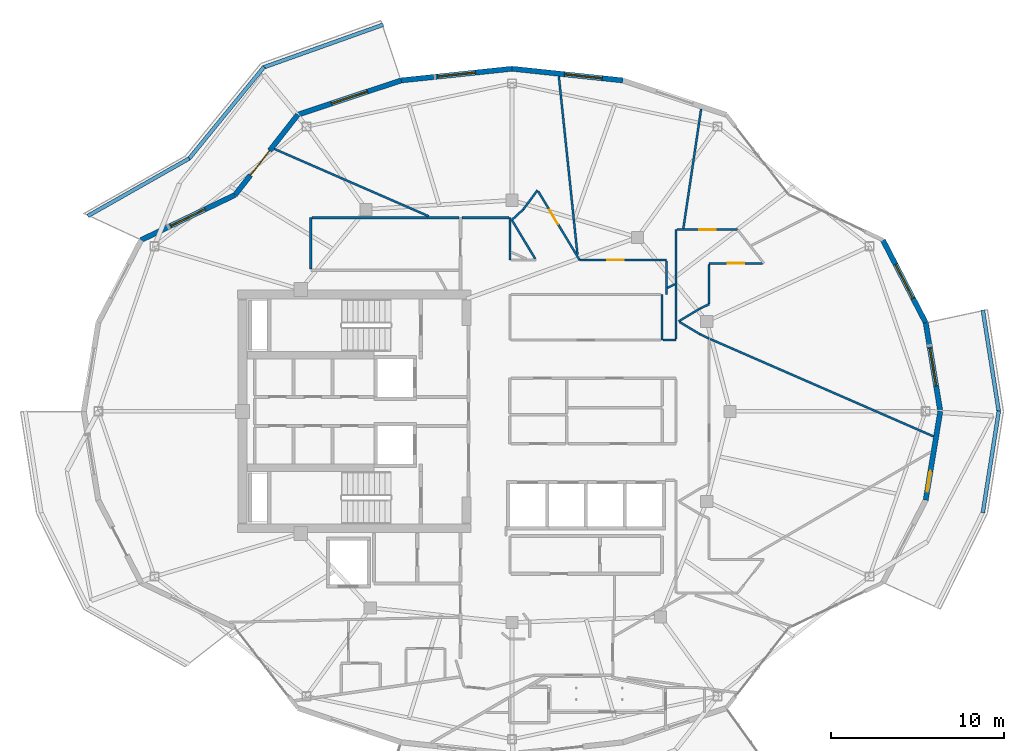
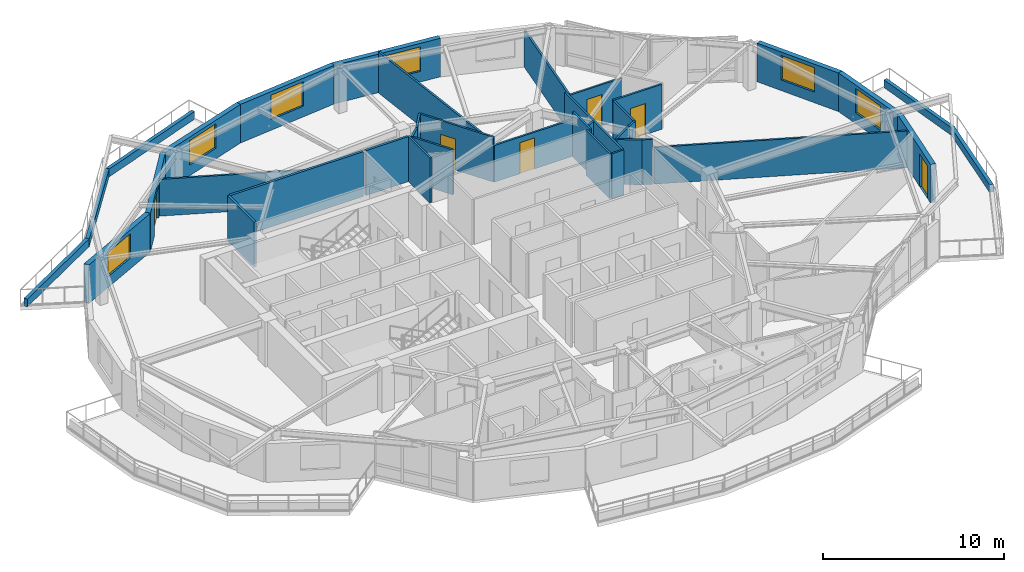
# One storey, part 12 of 21: 38 walls, 6 doors, 6 windows, 12 openings.
"""IFC4 building model written with IfcOpenShell, lengths in metres."""

from ifc_helpers import new_model, si_unit, direction, frame, frame_2d, origin, place, context, subcontext, project, spatial, rectangle, extrude, material, layer, layer_set, type_object, element, fill, save


model = new_model("IFC4")

# Units and contexts
model_context = context("Model", 3, precision=1e-05, world=origin(), true_north=direction((0.0, 1.0)))
body_context = subcontext(model_context, "Body", "Model", "MODEL_VIEW")
ifc_project = project(units=[si_unit("LENGTHUNIT", "METRE"), si_unit("AREAUNIT", "SQUARE_METRE"), si_unit("VOLUMEUNIT", "CUBIC_METRE"), si_unit("PLANEANGLEUNIT", "RADIAN"), si_unit("MASSUNIT", "GRAM", prefix="KILO")], contexts=[model_context])

# Site, building, storey
site_placement = place(None, origin())
site = spatial("IfcSite", under=ifc_project, at=site_placement, CompositionType="ELEMENT")
building_placement = place(site_placement, origin())
building = spatial("IfcBuilding", under=site, at=building_placement, Name="Kolvaren Gate Tower and Convention Centre", CompositionType="ELEMENT")
storey_placement = place(building_placement, frame((0.0, 0.0, 226.10009765625)))
storey = spatial("IfcBuildingStorey", under=building, at=storey_placement, Name="L60", CompositionType="ELEMENT", Elevation=226.10009765625)

# Walls
ifc_material_1 = material(Name="Fire-Rated Acoustic Gypsum Stud Partition", Category="gypsum")
ifc_layer_1 = layer(ifc_material_1, 0.1201171875)
ifc_layer_set_1 = layer_set([ifc_layer_1], Name="Fire-Rated Acoustic Gypsum Stud Partition")
wall_type_1 = type_object("IfcWallType", Name="ARCH-WL-PART-120", PredefinedType="PARTITIONING", material=ifc_layer_set_1)
wall_1_placement = place(storey_placement, frame((30.0, 35.75, 0.0), z_axis=(0.0, 0.0, 1.0), x_axis=(0.0, 1.0, 0.0)))
element("IfcWall", 1, at=wall_1_placement, inside=storey, type_object=wall_type_1, Name="Interior Partition WL-L60-INT-021", PredefinedType="PARTITIONING", context=body_context, shape_type="SweptSolid", body=[
    extrude(rectangle(XDim=2.449951171875, YDim=0.1201171875, at=frame_2d((1.22509765625, 0.0))), origin(), (0.0, 0.0, 1.0), 3.02978515625),
])
wall_2_placement = place(storey_placement, frame((38.800048828125, 31.1201171875, 0.0), z_axis=(0.0, 0.0, 1.0), x_axis=(0.0, 1.0, 0.0)))
element("IfcWall", 2, at=wall_2_placement, inside=storey, type_object=wall_type_1, Name="Interior Partition WL-L60-INT-028", PredefinedType="PARTITIONING", context=body_context, shape_type="SweptSolid", body=[
    extrude(rectangle(XDim=2.6298828125, YDim=0.1201171875, at=frame_2d((1.31494140625, 0.0))), origin(), (0.0, 0.0, 1.0), 3.02978515625),
])
wall_3_placement = place(storey_placement, frame((38.862060546875, 31.1201171875, 0.0), z_axis=(0.0, 0.0, 1.0), x_axis=(1.0, 0.0, 0.0)))
element("IfcWall", 3, at=wall_3_placement, inside=storey, type_object=wall_type_1, Name="Interior Partition WL-L60-INT-029 (2)", PredefinedType="PARTITIONING", context=body_context, shape_type="SweptSolid", body=[
    extrude(rectangle(XDim=0.738037109375, YDim=0.1201171875, at=frame_2d((0.369140625, 0.0))), origin(), (0.0, 0.0, 1.0), 3.02978515625),
])

# Wall, opening, door
wall_4_placement = place(storey_placement, frame((34.02490234375, 35.75, 0.0), z_axis=(0.0, 0.0, 1.0), x_axis=(1.0, 0.0, 0.0)))
wall_4 = element("IfcWall", 4, at=wall_4_placement, inside=storey, type_object=wall_type_1, Name="Interior Partition WL-L60-INT-038", PredefinedType="PARTITIONING", context=body_context, shape_type="SweptSolid", body=[
    extrude(rectangle(XDim=5.025146484375, YDim=0.1201171875, at=frame_2d((2.5126953125, 0.0))), origin(), (0.0, 0.0, 1.0), 2.477783203125),
])
opening_1_placement = place(wall_4_placement, frame((1.617431640625, 0.0, 0.0)))
opening_1 = element("IfcOpeningElement", 5, at=opening_1_placement, cuts=wall_4, Name="Opening DR-01", PredefinedType="OPENING", context=body_context, shape_type="SweptSolid", body=[
    extrude(rectangle(XDim=0.949951171875, YDim=2.10009765625, at=frame_2d((0.47509765625, 1.050048828125))), frame((0.0, 0.070068359375, 0.0), z_axis=(0.0, -1.0, 0.0), x_axis=(1.0, 0.0, 0.0)), (0.0, 0.0, 1.0), 0.14013671875),
])
ifc_material_2 = material(Name="Painted Architectural Steelwork ASTM A500 Grade C 345 MPa", Category="steel")
door_type_1 = type_object("IfcDoorType", Name="ARCH-DR-RISER-950", OperationType="SINGLE_SWING_RIGHT", PredefinedType="DOOR", material=ifc_material_2)
door_1_placement = place(opening_1_placement, origin())
door_1 = element("IfcDoor", 6, at=door_1_placement, inside=storey, type_object=door_type_1, Name="Resident Private Study Door", OperationType="SINGLE_SWING_RIGHT", OverallHeight=2.10009765625, OverallWidth=0.949951171875, PredefinedType="DOOR", context=body_context, shape_type="SweptSolid", body=[
    extrude(rectangle(XDim=0.949951171875, YDim=2.10009765625, at=frame_2d((0.47509765625, 1.050048828125))), frame((0.0, 0.02490234375, 0.0), z_axis=(0.0, -1.0, 0.0), x_axis=(1.0, 0.0, 0.0)), (0.0, 0.0, 1.0), 0.050048828125),
])
fill(opening_1, door_1)

# Walls
wall_5_placement = place(storey_placement, frame((30.114990234375, 38.05908203125, 0.0), z_axis=(0.0, 0.0, 1.0), x_axis=(0.516246227887, -0.85644020935, 0.0)))
element("IfcWall", 7, at=wall_5_placement, inside=storey, type_object=wall_type_1, Name="Interior Partition WL-L60-INT-039", PredefinedType="PARTITIONING", context=body_context, shape_type="SweptSolid", body=[
    extrude(rectangle(XDim=2.623779296875, YDim=0.1201171875, at=frame_2d((1.31201171875, 0.0))), origin(), (0.0, 0.0, 1.0), 3.02978515625),
])
wall_6_placement = place(storey_placement, frame((30.114990234375, 38.05908203125, 0.0), z_axis=(0.0, 0.0, 1.0), x_axis=(0.734991343239, 0.678076489316, 0.0)))
element("IfcWall", 8, at=wall_6_placement, inside=storey, type_object=wall_type_1, Name="Interior Partition WL-L60-INT-040", PredefinedType="PARTITIONING", context=body_context, shape_type="SweptSolid", body=[
    extrude(rectangle(XDim=0.896484375, YDim=0.1201171875, at=frame_2d((0.4482421875, 0.0))), origin(), (0.0, 0.0, 1.0), 3.02978515625),
])
wall_7_placement = place(storey_placement, frame((30.77392578125, 38.6669921875, 0.0), z_axis=(0.0, 0.0, 1.0), x_axis=(0.596019138224, 0.802970227885, 0.0)))
element("IfcWall", 9, at=wall_7_placement, inside=storey, type_object=wall_type_1, Name="Interior Partition WL-L60-INT-041", PredefinedType="PARTITIONING", context=body_context, shape_type="SweptSolid", body=[
    extrude(rectangle(XDim=1.38623046875, YDim=0.1201171875, at=frame_2d((0.693115234375, 0.0))), origin(), (0.0, 0.0, 1.0), 3.02978515625),
])

# Wall, opening, door
wall_8_placement = place(storey_placement, frame((31.634521484375, 39.72265625, 0.0), z_axis=(0.0, 0.0, 1.0), x_axis=(0.516340331217, -0.856383478565, 0.0)))
wall_8 = element("IfcWall", 10, at=wall_8_placement, inside=storey, type_object=wall_type_1, Name="Interior Partition WL-L60-INT-042", PredefinedType="PARTITIONING", context=body_context, shape_type="SweptSolid", body=[
    extrude(rectangle(XDim=4.62939453125, YDim=0.1201171875, at=frame_2d((2.314697265625, 0.0))), origin(), (0.0, 0.0, 1.0), 3.02978515625),
])
opening_2_placement = place(wall_8_placement, frame((1.27978515625, 0.0, 0.0)))
opening_2 = element("IfcOpeningElement", 11, at=opening_2_placement, cuts=wall_8, Name="Opening DR-01", PredefinedType="OPENING", context=body_context, shape_type="SweptSolid", body=[
    extrude(rectangle(XDim=0.949951171875, YDim=2.10009765625, at=frame_2d((0.47509765625, 1.050048828125))), frame((0.0, 0.070068359375, 0.0), z_axis=(0.0, -1.0, 0.0), x_axis=(1.0, 0.0, 0.0)), (0.0, 0.0, 1.0), 0.14013671875),
])
door_2_placement = place(opening_2_placement, origin())
door_2 = element("IfcDoor", 12, at=door_2_placement, inside=storey, type_object=door_type_1, Name="Resident Private Study and Home Office Door", OperationType="SINGLE_SWING_LEFT", OverallHeight=2.10009765625, OverallWidth=0.949951171875, PredefinedType="DOOR", context=body_context, shape_type="SweptSolid", body=[
    extrude(rectangle(XDim=0.949951171875, YDim=2.10009765625, at=frame_2d((0.47509765625, 1.050048828125))), frame((0.0, 0.02490234375, 0.0), z_axis=(0.0, -1.0, 0.0), x_axis=(1.0, 0.0, 0.0)), (0.0, 0.0, 1.0), 0.050048828125),
])
fill(opening_2, door_2)

# Walls
wall_9_placement = place(storey_placement, frame((39.050048828125, 33.75, 0.0), z_axis=(0.0, 0.0, 1.0), x_axis=(0.0, 1.0, 0.0)))
element("IfcWall", 13, at=wall_9_placement, inside=storey, type_object=wall_type_1, Name="Interior Partition WL-L60-INT-043", PredefinedType="PARTITIONING", context=body_context, shape_type="SweptSolid", body=[
    extrude(rectangle(XDim=1.93798828125, YDim=0.1201171875, at=frame_2d((0.968994140625, 0.0))), origin(), (0.0, 0.0, 1.0), 3.02978515625),
])
wall_10_placement = place(storey_placement, frame((39.60009765625, 31.181884765625, 0.0), z_axis=(0.0, 0.0, 1.0), x_axis=(0.0, 1.0, 0.0)))
element("IfcWall", 14, at=wall_10_placement, inside=storey, type_object=wall_type_1, Name="Interior Partition WL-L60-INT-046", PredefinedType="PARTITIONING", context=body_context, shape_type="SweptSolid", body=[
    extrude(rectangle(XDim=6.318115234375, YDim=0.1201171875, at=frame_2d((3.1591796875, 0.0))), origin(), (0.0, 0.0, 1.0), 3.02978515625),
])

# Wall, opening, door
wall_11_placement = place(storey_placement, frame((39.662109375, 37.5, 0.0), z_axis=(0.0, 0.0, 1.0), x_axis=(1.0, 0.0, 0.0)))
wall_11 = element("IfcWall", 15, at=wall_11_placement, inside=storey, type_object=wall_type_1, Name="Interior Partition WL-L60-INT-047", PredefinedType="PARTITIONING", context=body_context, shape_type="SweptSolid", body=[
    extrude(rectangle(XDim=3.494873046875, YDim=0.1201171875, at=frame_2d((1.74755859375, 0.0))), origin(), (0.0, 0.0, 1.0), 2.77001953125),
])
opening_3_placement = place(wall_11_placement, frame((1.2724609375, 0.0, 0.0)))
opening_3 = element("IfcOpeningElement", 16, at=opening_3_placement, cuts=wall_11, Name="Opening DR-01", PredefinedType="OPENING", context=body_context, shape_type="SweptSolid", body=[
    extrude(rectangle(XDim=0.949951171875, YDim=2.10009765625, at=frame_2d((0.47509765625, 1.050048828125))), frame((0.0, 0.070068359375, 0.0), z_axis=(0.0, -1.0, 0.0), x_axis=(1.0, 0.0, 0.0)), (0.0, 0.0, 1.0), 0.14013671875),
])
door_3_placement = place(opening_3_placement, origin())
door_3 = element("IfcDoor", 17, at=door_3_placement, inside=storey, type_object=door_type_1, Name="Resident Reading Study Door", OperationType="SINGLE_SWING_LEFT", OverallHeight=2.10009765625, OverallWidth=0.949951171875, PredefinedType="DOOR", context=body_context, shape_type="SweptSolid", body=[
    extrude(rectangle(XDim=0.949951171875, YDim=2.10009765625, at=frame_2d((0.47509765625, 1.050048828125))), frame((0.0, 0.02490234375, 0.0), z_axis=(0.0, -1.0, 0.0), x_axis=(1.0, 0.0, 0.0)), (0.0, 0.0, 1.0), 0.050048828125),
])
fill(opening_3, door_3)

wall_12_placement = place(storey_placement, frame((41.52001953125, 35.550048828125, 0.0), z_axis=(0.0, 0.0, 1.0), x_axis=(1.0, 0.0, 0.0)))
wall_12 = element("IfcWall", 18, at=wall_12_placement, inside=storey, type_object=wall_type_1, Name="Interior Partition WL-L60-INT-049", PredefinedType="PARTITIONING", context=body_context, shape_type="SweptSolid", body=[
    extrude(rectangle(XDim=3.085205078125, YDim=0.1201171875, at=frame_2d((1.54248046875, 0.0))), origin(), (0.0, 0.0, 1.0), 3.02978515625),
])
opening_4_placement = place(wall_12_placement, frame((1.067626953125, 0.0, 0.0)))
opening_4 = element("IfcOpeningElement", 19, at=opening_4_placement, cuts=wall_12, Name="Opening DR-01", PredefinedType="OPENING", context=body_context, shape_type="SweptSolid", body=[
    extrude(rectangle(XDim=0.949951171875, YDim=2.10009765625, at=frame_2d((0.47509765625, 1.050048828125))), frame((0.0, 0.070068359375, 0.0), z_axis=(0.0, -1.0, 0.0), x_axis=(1.0, 0.0, 0.0)), (0.0, 0.0, 1.0), 0.14013671875),
])
door_4_placement = place(opening_4_placement, origin())
door_4 = element("IfcDoor", 20, at=door_4_placement, inside=storey, type_object=door_type_1, Name="Resident Private Study and Home Office Door", OperationType="SINGLE_SWING_RIGHT", OverallHeight=2.10009765625, OverallWidth=0.949951171875, PredefinedType="DOOR", context=body_context, shape_type="SweptSolid", body=[
    extrude(rectangle(XDim=0.949951171875, YDim=2.10009765625, at=frame_2d((0.47509765625, 1.050048828125))), frame((0.0, 0.02490234375, 0.0), z_axis=(0.0, -1.0, 0.0), x_axis=(1.0, 0.0, 0.0)), (0.0, 0.0, 1.0), 0.050048828125),
])
fill(opening_4, door_4)

# Walls
wall_13_placement = place(storey_placement, frame((41.52001953125, 33.193115234375, 0.0), z_axis=(0.0, 0.0, 1.0), x_axis=(0.0, 1.0, 0.0)))
element("IfcWall", 21, at=wall_13_placement, inside=storey, type_object=wall_type_1, Name="Interior Partition WL-L60-INT-052", PredefinedType="PARTITIONING", context=body_context, shape_type="SweptSolid", body=[
    extrude(rectangle(XDim=2.294921875, YDim=0.1201171875, at=frame_2d((1.1474609375, 0.0))), origin(), (0.0, 0.0, 1.0), 3.02978515625),
])
wall_14_placement = place(storey_placement, frame((40.986083984375, 32.93994140625, 0.0), z_axis=(0.0, 0.0, 1.0), x_axis=(0.90356951601, 0.428441512621, 0.0)))
element("IfcWall", 22, at=wall_14_placement, inside=storey, type_object=wall_type_1, Name="Interior Partition WL-L60-INT-053", PredefinedType="PARTITIONING", context=body_context, shape_type="SweptSolid", body=[
    extrude(rectangle(XDim=0.5908203125, YDim=0.1201171875, at=frame_2d((0.29541015625, 0.0))), origin(), (0.0, 0.0, 1.0), 3.02978515625),
])
wall_15_placement = place(storey_placement, frame((39.75, 32.198974609375, 0.0), z_axis=(0.0, 0.0, 1.0), x_axis=(0.857702120906, 0.514146935996, 0.0)))
element("IfcWall", 23, at=wall_15_placement, inside=storey, type_object=wall_type_1, Name="Interior Partition WL-L60-INT-054", PredefinedType="PARTITIONING", context=body_context, shape_type="SweptSolid", body=[
    extrude(rectangle(XDim=1.441162109375, YDim=0.1201171875, at=frame_2d((0.720703125, 0.0))), origin(), (0.0, 0.0, 1.0), 3.02978515625),
])
wall_16_placement = place(storey_placement, frame((39.810302734375, 32.162841796875, 0.0), z_axis=(0.0, 0.0, 1.0), x_axis=(0.858011245414, -0.513630901273, 0.0)))
element("IfcWall", 24, at=wall_16_placement, inside=storey, type_object=wall_type_1, Name="Interior Partition WL-L60-INT-055", PredefinedType="PARTITIONING", context=body_context, shape_type="SweptSolid", body=[
    extrude(rectangle(XDim=1.370361328125, YDim=0.1201171875, at=frame_2d((0.68505859375, 0.0))), origin(), (0.0, 0.0, 1.0), 3.02978515625),
])
wall_17_placement = place(storey_placement, frame((40.986083984375, 31.458984375, 0.0), z_axis=(0.0, 0.0, 1.0), x_axis=(0.903687141457, -0.428193356283, 0.0)))
element("IfcWall", 25, at=wall_17_placement, inside=storey, type_object=wall_type_1, Name="Interior Partition WL-L60-INT-056", PredefinedType="PARTITIONING", context=body_context, shape_type="SweptSolid", body=[
    extrude(rectangle(XDim=0.58837890625, YDim=0.1201171875, at=frame_2d((0.294189453125, 0.0))), origin(), (0.0, 0.0, 1.0), 3.02978515625),
])
wall_18_placement = place(storey_placement, frame((16.391845703125, 42.165771484375, 0.0), z_axis=(0.0, 0.0, 1.0), x_axis=(0.916624998673, -0.399748185496, 0.0)))
element("IfcWall", 26, at=wall_18_placement, inside=storey, type_object=wall_type_1, Name="Interior Partition WL-L60-INT-100", PredefinedType="PARTITIONING", context=body_context, shape_type="SweptSolid", body=[
    extrude(rectangle(XDim=9.727783203125, YDim=0.1201171875, at=frame_2d((4.86376953125, 0.0))), origin(), (0.0, 0.0, 1.0), 2.477783203125),
])
wall_19_placement = place(storey_placement, frame((41.58203125, 31.179931640625, 0.0), z_axis=(0.0, 0.0, 1.0), x_axis=(0.916624100851, -0.399750244202, 0.0)))
element("IfcWall", 27, at=wall_19_placement, inside=storey, type_object=wall_type_1, Name="Interior Partition WL-L60-INT-102", PredefinedType="PARTITIONING", context=body_context, shape_type="SweptSolid", body=[
    extrude(rectangle(XDim=14.07421875, YDim=0.1201171875, at=frame_2d((7.037109375, 0.0))), origin(), (0.0, 0.0, 1.0), 2.477783203125),
])
wall_20_placement = place(storey_placement, frame((39.112060546875, 34.13671875, 0.0), z_axis=(0.0, 0.0, 1.0), x_axis=(0.892681104984, 0.450688855869, 0.0)))
element("IfcWall", 28, at=wall_20_placement, inside=storey, type_object=wall_type_1, Name="Interior Partition WL-L60-INT-103", PredefinedType="PARTITIONING", context=body_context, shape_type="SweptSolid", body=[
    extrude(rectangle(XDim=0.477294921875, YDim=0.1201171875, at=frame_2d((0.23876953125, 0.0))), origin(), (0.0, 0.0, 1.0), 3.02978515625),
])
wall_21_placement = place(storey_placement, frame((40.026123046875, 37.56201171875, 0.0), z_axis=(0.0, 0.0, 1.0), x_axis=(0.147138038827, 0.989115967685, 0.0)))
element("IfcWall", 29, at=wall_21_placement, inside=storey, type_object=wall_type_1, Name="Interior Partition WL-L60-INT-105", PredefinedType="PARTITIONING", context=body_context, shape_type="SweptSolid", body=[
    extrude(rectangle(XDim=6.98046875, YDim=0.1201171875, at=frame_2d((3.490234375, 0.0))), origin(), (0.0, 0.0, 1.0), 2.477783203125),
])
wall_22_placement = place(storey_placement, frame((32.83154296875, 46.362060546875, 0.0), z_axis=(0.0, 0.0, 1.0), x_axis=(0.103942686354, -0.994583288595, 0.0)))
element("IfcWall", 30, at=wall_22_placement, inside=storey, type_object=wall_type_1, Name="Interior Partition WL-L60-INT-106", PredefinedType="PARTITIONING", context=body_context, shape_type="SweptSolid", body=[
    extrude(rectangle(XDim=10.34423828125, YDim=0.1201171875, at=frame_2d((5.172119140625, 0.0))), origin(), (0.0, 0.0, 1.0), 2.77001953125),
])
ifc_material_3 = material(Name="Piedmont Cream Honed Limestone Cladding", Category="masonry")
ifc_layer_2 = layer(ifc_material_3, 0.219970703125)
ifc_layer_set_2 = layer_set([ifc_layer_2], Name="Piedmont Cream Honed Limestone Cladding")
wall_type_2 = type_object("IfcWallType", Name="ARCH-WL-PLANTER-220", PredefinedType="PARAPET", material=ifc_layer_set_2)
wall_23_placement = place(storey_placement, frame((15.73681640625, 46.866455078125, 0.0), z_axis=(0.0, 0.0, 1.0), x_axis=(0.941780086523, 0.336229488042, 0.0)))
element("IfcWall", 31, at=wall_23_placement, inside=storey, type_object=wall_type_2, Name="Vertical-Forest Balcony Stone Planter Kerb PK-L60-1.1", PredefinedType="PARAPET", context=body_context, shape_type="SweptSolid", body=[
    extrude(rectangle(XDim=7.3779296875, YDim=0.219970703125, at=frame_2d((3.68896484375, 0.0))), origin(), (0.0, 0.0, 1.0), 0.52001953125),
])
wall_24_placement = place(storey_placement, frame((11.42724609375, 41.55859375, 0.0), z_axis=(0.0, 0.0, 1.0), x_axis=(0.632697312147, 0.774399193699, 0.0)))
element("IfcWall", 32, at=wall_24_placement, inside=storey, type_object=wall_type_2, Name="Vertical-Forest Balcony Stone Planter Kerb PK-L60-1.2", PredefinedType="PARAPET", context=body_context, shape_type="SweptSolid", body=[
    extrude(rectangle(XDim=6.9140625, YDim=0.219970703125, at=frame_2d((3.45703125, 0.0))), origin(), (0.0, 0.0, 1.0), 0.52001953125),
])
wall_25_placement = place(storey_placement, frame((5.6083984375, 38.29052734375, 0.0), z_axis=(0.0, 0.0, 1.0), x_axis=(0.869860619267, 0.493297580623, 0.0)))
element("IfcWall", 33, at=wall_25_placement, inside=storey, type_object=wall_type_2, Name="Vertical-Forest Balcony Stone Planter Kerb PK-L60-1.3", PredefinedType="PARAPET", context=body_context, shape_type="SweptSolid", body=[
    extrude(rectangle(XDim=6.74267578125, YDim=0.219970703125, at=frame_2d((3.371337890625, 0.0))), origin(), (0.0, 0.0, 1.0), 0.52001953125),
])
for number, where, z_axis, x_axis, name in (
    (34, (57.331787109375, 21.1376953125, 0.0), (0.0, 0.0, 1.0), (0.1550711793, 0.987903299595, 0.0), "Vertical-Forest Balcony Stone Planter Kerb PK-L60-4.2"),
    (35, (57.331787109375, 32.8623046875, 0.0), (0.0, 0.0, 1.0), (0.1550711793, -0.987903299595, 0.0), "Vertical-Forest Balcony Stone Planter Kerb PK-L60-4.3"),
):
    element("IfcWall", number, at=place(storey_placement, frame(where, z_axis=z_axis, x_axis=x_axis)), inside=storey, type_object=wall_type_2, Name=name, PredefinedType="PARAPET", context=body_context, shape_type="SweptSolid", body=[
        extrude(rectangle(XDim=5.963623046875, YDim=0.219970703125, at=frame_2d((2.98193359375, 0.0))), origin(), (0.0, 0.0, 1.0), 0.52001953125),
    ])

# Wall, opening, window
ifc_layer_3 = layer(ifc_material_3, 0.300048828125)
ifc_layer_set_3 = layer_set([ifc_layer_3], Name="Piedmont Cream Honed Limestone Cladding")
wall_type_3 = type_object("IfcWallType", Name="ARCH-WL-STONE-300", PredefinedType="SOLIDWALL", material=ifc_layer_set_3)
wall_26_placement = place(storey_placement, frame((54.03173828125, 32.12451171875, 0.0), z_axis=(0.0, 0.0, 1.0), x_axis=(0.16237087798, -0.986729799886, 0.0)))
wall_26 = element("IfcWall", 36, at=wall_26_placement, inside=storey, type_object=wall_type_3, Name="Tower L60 Honed Stone Spandrel Wall EW-00", PredefinedType="SOLIDWALL", context=body_context, shape_type="SweptSolid", body=[
    extrude(rectangle(XDim=5.193359375, YDim=0.300048828125, at=frame_2d((2.5966796875, 0.0))), origin(), (0.0, 0.0, 1.0), 2.60498046875),
])
opening_5_placement = place(wall_26_placement, frame((1.4970703125, 0.0, 0.719970703125)))
opening_5 = element("IfcOpeningElement", 37, at=opening_5_placement, cuts=wall_26, Name="Opening W-03", PredefinedType="OPENING", context=body_context, shape_type="SweptSolid", body=[
    extrude(rectangle(XDim=2.199951171875, YDim=1.64990234375, at=frame_2d((1.10009765625, 0.824951171875))), frame((0.0, 0.159912109375, 0.0), z_axis=(0.0, -1.0, 0.0), x_axis=(1.0, 0.0, 0.0)), (0.0, 0.0, 1.0), 0.320068359375),
])
ifc_material_4 = material(Name="Low-E Triple Insulated Glazing Unit 44 mm", Category="glass")
window_type = type_object("IfcWindowType", Name="ARCH-WN-RES-2200", PartitioningType="SINGLE_PANEL", PredefinedType="WINDOW", material=ifc_material_4)
window_1_placement = place(opening_5_placement, origin())
window_1 = element("IfcWindow", 38, at=window_1_placement, inside=storey, type_object=window_type, Name="Tower L60 Punched Stone Facade Window W-00", OverallHeight=1.64990234375, OverallWidth=2.199951171875, PartitioningType="SINGLE_PANEL", PredefinedType="WINDOW", context=body_context, shape_type="SweptSolid", body=[
    extrude(rectangle(XDim=2.199951171875, YDim=1.64990234375, at=frame_2d((1.10009765625, 0.824951171875))), frame((0.0, 0.030029296875, 0.0), z_axis=(0.0, -1.0, 0.0), x_axis=(1.0, 0.0, 0.0)), (0.0, 0.0, 1.0), 0.06005859375),
])
fill(opening_5, window_1)

wall_27_placement = place(storey_placement, frame((51.55908203125, 36.89990234375, 0.0), z_axis=(0.0, 0.0, 1.0), x_axis=(0.459808219482, -0.888018243786, 0.0)))
wall_27 = element("IfcWall", 39, at=wall_27_placement, inside=storey, type_object=wall_type_3, Name="Tower L60 Honed Stone Spandrel Wall EW-01", PredefinedType="SOLIDWALL", context=body_context, shape_type="SweptSolid", body=[
    extrude(rectangle(XDim=5.377685546875, YDim=0.300048828125, at=frame_2d((2.68896484375, 0.0))), origin(), (0.0, 0.0, 1.0), 2.60498046875),
])
opening_6_placement = place(wall_27_placement, frame((1.589111328125, 0.0, 0.719970703125)))
opening_6 = element("IfcOpeningElement", 40, at=opening_6_placement, cuts=wall_27, Name="Opening W-03", PredefinedType="OPENING", context=body_context, shape_type="SweptSolid", body=[
    extrude(rectangle(XDim=2.199951171875, YDim=1.64990234375, at=frame_2d((1.10009765625, 0.824951171875))), frame((0.0, 0.159912109375, 0.0), z_axis=(0.0, -1.0, 0.0), x_axis=(1.0, 0.0, 0.0)), (0.0, 0.0, 1.0), 0.320068359375),
])
window_2_placement = place(opening_6_placement, origin())
window_2 = element("IfcWindow", 41, at=window_2_placement, inside=storey, type_object=window_type, Name="Tower L60 Punched Stone Facade Window W-01", OverallHeight=1.64990234375, OverallWidth=2.199951171875, PartitioningType="SINGLE_PANEL", PredefinedType="WINDOW", context=body_context, shape_type="SweptSolid", body=[
    extrude(rectangle(XDim=2.199951171875, YDim=1.64990234375, at=frame_2d((1.10009765625, 0.824951171875))), frame((0.0, 0.030029296875, 0.0), z_axis=(0.0, -1.0, 0.0), x_axis=(1.0, 0.0, 0.0)), (0.0, 0.0, 1.0), 0.06005859375),
])
fill(opening_6, window_2)

wall_28_placement = place(storey_placement, frame((30.125, 46.800048828125, 0.0), z_axis=(0.0, 0.0, 1.0), x_axis=(0.994497142298, -0.104763705363, 0.0)))
wall_28 = element("IfcWall", 42, at=wall_28_placement, inside=storey, type_object=wall_type_3, Name="Tower L60 Honed Stone Spandrel Wall EW-05", PredefinedType="SOLIDWALL", context=body_context, shape_type="SweptSolid", body=[
    extrude(rectangle(XDim=6.441162109375, YDim=0.300048828125, at=frame_2d((3.220703125, 0.0))), origin(), (0.0, 0.0, 1.0), 2.60498046875),
])
opening_7_placement = place(wall_28_placement, frame((3.050048828125, 0.0, 0.719970703125)))
opening_7 = element("IfcOpeningElement", 43, at=opening_7_placement, cuts=wall_28, Name="Opening W-03", PredefinedType="OPENING", context=body_context, shape_type="SweptSolid", body=[
    extrude(rectangle(XDim=2.199951171875, YDim=1.64990234375, at=frame_2d((1.10009765625, 0.824951171875))), frame((0.0, 0.159912109375, 0.0), z_axis=(0.0, -1.0, 0.0), x_axis=(1.0, 0.0, 0.0)), (0.0, 0.0, 1.0), 0.320068359375),
])
window_3_placement = place(opening_7_placement, origin())
window_3 = element("IfcWindow", 44, at=window_3_placement, inside=storey, type_object=window_type, Name="Tower L60 Punched Stone Facade Window W-05", OverallHeight=1.64990234375, OverallWidth=2.199951171875, PartitioningType="SINGLE_PANEL", PredefinedType="WINDOW", context=body_context, shape_type="SweptSolid", body=[
    extrude(rectangle(XDim=2.199951171875, YDim=1.64990234375, at=frame_2d((1.10009765625, 0.824951171875))), frame((0.0, 0.030029296875, 0.0), z_axis=(0.0, -1.0, 0.0), x_axis=(1.0, 0.0, 0.0)), (0.0, 0.0, 1.0), 0.06005859375),
])
fill(opening_7, window_3)

wall_29_placement = place(storey_placement, frame((23.71923828125, 46.125244140625, 0.0), z_axis=(0.0, 0.0, 1.0), x_axis=(0.994497142298, 0.104763705363, 0.0)))
wall_29 = element("IfcWall", 45, at=wall_29_placement, inside=storey, type_object=wall_type_3, Name="Tower L60 Honed Stone Spandrel Wall EW-06", PredefinedType="SOLIDWALL", context=body_context, shape_type="SweptSolid", body=[
    extrude(rectangle(XDim=6.441162109375, YDim=0.300048828125, at=frame_2d((3.220703125, 0.0))), origin(), (0.0, 0.0, 1.0), 2.60498046875),
])
opening_8_placement = place(wall_29_placement, frame((2.12109375, 0.0, 0.719970703125)))
opening_8 = element("IfcOpeningElement", 46, at=opening_8_placement, cuts=wall_29, Name="Opening W-03", PredefinedType="OPENING", context=body_context, shape_type="SweptSolid", body=[
    extrude(rectangle(XDim=2.199951171875, YDim=1.64990234375, at=frame_2d((1.10009765625, 0.824951171875))), frame((0.0, 0.159912109375, 0.0), z_axis=(0.0, -1.0, 0.0), x_axis=(1.0, 0.0, 0.0)), (0.0, 0.0, 1.0), 0.320068359375),
])
window_4_placement = place(opening_8_placement, origin())
window_4 = element("IfcWindow", 47, at=window_4_placement, inside=storey, type_object=window_type, Name="Tower L60 Punched Stone Facade Window W-06", OverallHeight=1.64990234375, OverallWidth=2.199951171875, PartitioningType="SINGLE_PANEL", PredefinedType="WINDOW", context=body_context, shape_type="SweptSolid", body=[
    extrude(rectangle(XDim=2.199951171875, YDim=1.64990234375, at=frame_2d((1.10009765625, 0.824951171875))), frame((0.0, 0.030029296875, 0.0), z_axis=(0.0, -1.0, 0.0), x_axis=(1.0, 0.0, 0.0)), (0.0, 0.0, 1.0), 0.06005859375),
])
fill(opening_8, window_4)

wall_30_placement = place(storey_placement, frame((17.75, 44.147216796875, 0.0), z_axis=(0.0, 0.0, 1.0), x_axis=(0.949240877604, 0.314550085495, 0.0)))
wall_30 = element("IfcWall", 48, at=wall_30_placement, inside=storey, type_object=wall_type_3, Name="Tower L60 Honed Stone Spandrel Wall EW-07", PredefinedType="SOLIDWALL", context=body_context, shape_type="SweptSolid", body=[
    extrude(rectangle(XDim=6.288330078125, YDim=0.300048828125, at=frame_2d((3.14404296875, 0.0))), origin(), (0.0, 0.0, 1.0), 2.60498046875),
])
opening_9_placement = place(wall_30_placement, frame((2.0439453125, 0.0, 0.719970703125)))
opening_9 = element("IfcOpeningElement", 49, at=opening_9_placement, cuts=wall_30, Name="Opening W-03", PredefinedType="OPENING", context=body_context, shape_type="SweptSolid", body=[
    extrude(rectangle(XDim=2.199951171875, YDim=1.64990234375, at=frame_2d((1.10009765625, 0.824951171875))), frame((0.0, 0.159912109375, 0.0), z_axis=(0.0, -1.0, 0.0), x_axis=(1.0, 0.0, 0.0)), (0.0, 0.0, 1.0), 0.320068359375),
])
window_5_placement = place(opening_9_placement, origin())
window_5 = element("IfcWindow", 50, at=window_5_placement, inside=storey, type_object=window_type, Name="Tower L60 Punched Stone Facade Window W-07", OverallHeight=1.64990234375, OverallWidth=2.199951171875, PartitioningType="SINGLE_PANEL", PredefinedType="WINDOW", context=body_context, shape_type="SweptSolid", body=[
    extrude(rectangle(XDim=2.199951171875, YDim=1.64990234375, at=frame_2d((1.10009765625, 0.824951171875))), frame((0.0, 0.030029296875, 0.0), z_axis=(0.0, -1.0, 0.0), x_axis=(1.0, 0.0, 0.0)), (0.0, 0.0, 1.0), 0.06005859375),
])
fill(opening_9, window_5)

# Wall, opening, door
wall_31_placement = place(storey_placement, frame((14.117431640625, 39.50732421875, 0.0), z_axis=(0.0, 0.0, 1.0), x_axis=(0.616450126935, 0.787393955401, 0.0)))
wall_31 = element("IfcWall", 51, at=wall_31_placement, inside=storey, type_object=wall_type_3, Name="Tower L60 Honed Stone Spandrel Wall EW-08", PredefinedType="SOLIDWALL", context=body_context, shape_type="SweptSolid", body=[
    extrude(rectangle(XDim=5.892822265625, YDim=0.300048828125, at=frame_2d((2.9462890625, 0.0))), origin(), (0.0, 0.0, 1.0), 2.60498046875),
])
opening_10_placement = place(wall_31_placement, frame((1.449951171875, 0.0, 0.0)))
opening_10 = element("IfcOpeningElement", 52, at=opening_10_placement, cuts=wall_31, Name="Opening DB-01", PredefinedType="OPENING", context=body_context, shape_type="SweptSolid", body=[
    extrude(rectangle(XDim=1.800048828125, YDim=2.25, at=frame_2d((0.89990234375, 1.125))), frame((0.0, 0.159912109375, 0.0), z_axis=(0.0, -1.0, 0.0), x_axis=(1.0, 0.0, 0.0)), (0.0, 0.0, 1.0), 0.320068359375),
])
ifc_material_5 = material(Name="Anodized Architectural Aluminium Alloy 6063-T6", Category="aluminium")
door_type_2 = type_object("IfcDoorType", Name="ARCH-DR-BALC-1800", OperationType="SLIDING_TO_LEFT", PredefinedType="DOOR", material=ifc_material_5)
door_5_placement = place(opening_10_placement, origin())
door_5 = element("IfcDoor", 53, at=door_5_placement, inside=storey, type_object=door_type_2, Name="Planted Sky Terrace Access Door DB-L60-08", OperationType="SLIDING_TO_LEFT", OverallHeight=2.25, OverallWidth=1.800048828125, PredefinedType="DOOR", context=body_context, shape_type="SweptSolid", body=[
    extrude(rectangle(XDim=1.800048828125, YDim=2.25, at=frame_2d((0.89990234375, 1.125))), frame((0.0, 0.02490234375, 0.0), z_axis=(0.0, -1.0, 0.0), x_axis=(1.0, 0.0, 0.0)), (0.0, 0.0, 1.0), 0.050048828125),
])
fill(opening_10, door_5)

# Wall, opening, window
wall_32_placement = place(storey_placement, frame((8.69091796875, 36.89990234375, 0.0), z_axis=(0.0, 0.0, 1.0), x_axis=(0.901348331142, 0.433094892545, 0.0)))
wall_32 = element("IfcWall", 54, at=wall_32_placement, inside=storey, type_object=wall_type_3, Name="Tower L60 Honed Stone Spandrel Wall EW-09", PredefinedType="SOLIDWALL", context=body_context, shape_type="SweptSolid", body=[
    extrude(rectangle(XDim=6.0205078125, YDim=0.300048828125, at=frame_2d((3.01025390625, 0.0))), origin(), (0.0, 0.0, 1.0), 2.60498046875),
])
opening_11_placement = place(wall_32_placement, frame((1.909912109375, 0.0, 0.719970703125)))
opening_11 = element("IfcOpeningElement", 55, at=opening_11_placement, cuts=wall_32, Name="Opening W-03", PredefinedType="OPENING", context=body_context, shape_type="SweptSolid", body=[
    extrude(rectangle(XDim=2.199951171875, YDim=1.64990234375, at=frame_2d((1.10009765625, 0.824951171875))), frame((0.0, 0.159912109375, 0.0), z_axis=(0.0, -1.0, 0.0), x_axis=(1.0, 0.0, 0.0)), (0.0, 0.0, 1.0), 0.320068359375),
])
window_6_placement = place(opening_11_placement, origin())
window_6 = element("IfcWindow", 56, at=window_6_placement, inside=storey, type_object=window_type, Name="Tower L60 Punched Stone Facade Window W-09", OverallHeight=1.64990234375, OverallWidth=2.199951171875, PartitioningType="SINGLE_PANEL", PredefinedType="WINDOW", context=body_context, shape_type="SweptSolid", body=[
    extrude(rectangle(XDim=2.199951171875, YDim=1.64990234375, at=frame_2d((1.10009765625, 0.824951171875))), frame((0.0, 0.030029296875, 0.0), z_axis=(0.0, -1.0, 0.0), x_axis=(1.0, 0.0, 0.0)), (0.0, 0.0, 1.0), 0.06005859375),
])
fill(opening_11, window_6)

# Wall, opening, door
wall_33_placement = place(storey_placement, frame((54.03173828125, 21.87548828125, 0.0), z_axis=(0.0, 0.0, 1.0), x_axis=(0.16237087798, 0.986729799886, 0.0)))
wall_33 = element("IfcWall", 57, at=wall_33_placement, inside=storey, type_object=wall_type_3, Name="Tower L60 Honed Stone Spandrel Wall EW-23", PredefinedType="SOLIDWALL", context=body_context, shape_type="SweptSolid", body=[
    extrude(rectangle(XDim=5.193359375, YDim=0.300048828125, at=frame_2d((2.5966796875, 0.0))), origin(), (0.0, 0.0, 1.0), 2.60498046875),
])
opening_12_placement = place(wall_33_placement, frame((0.5, 0.0, 0.0)))
opening_12 = element("IfcOpeningElement", 58, at=opening_12_placement, cuts=wall_33, Name="Opening DB-02", PredefinedType="OPENING", context=body_context, shape_type="SweptSolid", body=[
    extrude(rectangle(XDim=1.199951171875, YDim=2.199951171875, at=frame_2d((0.60009765625, 1.10009765625))), frame((0.0, 0.159912109375, 0.0), z_axis=(0.0, -1.0, 0.0), x_axis=(1.0, 0.0, 0.0)), (0.0, 0.0, 1.0), 0.320068359375),
])
door_type_3 = type_object("IfcDoorType", Name="ARCH-DR-BALC-1200", OperationType="NOTDEFINED", PredefinedType="DOOR", material=ifc_material_5)
door_6_placement = place(opening_12_placement, frame((1.199951171875, 0.0, 0.0), z_axis=(0.0, 0.0, 1.0), x_axis=(-1.0, 0.0, 0.0)))
door_6 = element("IfcDoor", 59, at=door_6_placement, inside=storey, type_object=door_type_3, Name="Planted Sky Terrace Access Door DB-L60-23", OperationType="SLIDING_TO_LEFT", OverallHeight=2.199951171875, OverallWidth=1.199951171875, PredefinedType="DOOR", context=body_context, shape_type="SweptSolid", body=[
    extrude(rectangle(XDim=1.199951171875, YDim=2.199951171875, at=frame_2d((0.60009765625, 1.10009765625))), frame((0.0, 0.02490234375, 0.0), z_axis=(0.0, -1.0, 0.0), x_axis=(1.0, 0.0, 0.0)), (0.0, 0.0, 1.0), 0.050048828125),
])
fill(opening_12, door_6)

# Walls
ifc_material_6 = material(Name="Moisture-Resistant Cement-Board Acoustic Partition", Category="gypsum")
ifc_layer_4 = layer(ifc_material_6, 0.14990234375)
ifc_layer_set_4 = layer_set([ifc_layer_4], Name="Moisture-Resistant Cement-Board Acoustic Partition")
wall_type_4 = type_object("IfcWallType", Name="ARCH-WL-WET-150", PredefinedType="PARTITIONING", material=ifc_layer_set_4)
wall_34_placement = place(storey_placement, frame((18.5, 35.237060546875, 0.0), z_axis=(0.0, 0.0, 1.0), x_axis=(0.0, 1.0, 0.0)))
element("IfcWall", 60, at=wall_34_placement, inside=storey, type_object=wall_type_4, Name="Interior Partition WL-L60-INT-035", PredefinedType="PARTITIONING", context=body_context, shape_type="SweptSolid", body=[
    extrude(rectangle(XDim=2.962890625, YDim=0.14990234375, at=frame_2d((1.4814453125, 0.0))), origin(), (0.0, 0.0, 1.0), 3.02978515625),
])
wall_35_placement = place(storey_placement, frame((18.576904296875, 38.199951171875, 0.0), z_axis=(0.0, 0.0, 1.0), x_axis=(1.0, 0.0, 0.0)))
element("IfcWall", 61, at=wall_35_placement, inside=storey, type_object=wall_type_4, Name="Interior Partition WL-L60-INT-036", PredefinedType="PARTITIONING", context=body_context, shape_type="SweptSolid", body=[
    extrude(rectangle(XDim=8.49609375, YDim=0.14990234375, at=frame_2d((4.248046875, 0.0))), origin(), (0.0, 0.0, 1.0), 3.02978515625),
])
wall_36_placement = place(storey_placement, frame((27.22705078125, 38.199951171875, 0.0), z_axis=(0.0, 0.0, 1.0), x_axis=(1.0, 0.0, 0.0)))
element("IfcWall", 62, at=wall_36_placement, inside=storey, type_object=wall_type_4, Name="Interior Partition WL-L60-INT-036 (2)", PredefinedType="PARTITIONING", context=body_context, shape_type="SweptSolid", body=[
    extrude(rectangle(XDim=2.7109375, YDim=0.14990234375, at=frame_2d((1.35546875, 0.0))), origin(), (0.0, 0.0, 1.0), 3.02978515625),
])

save(model, "model.ifc")
